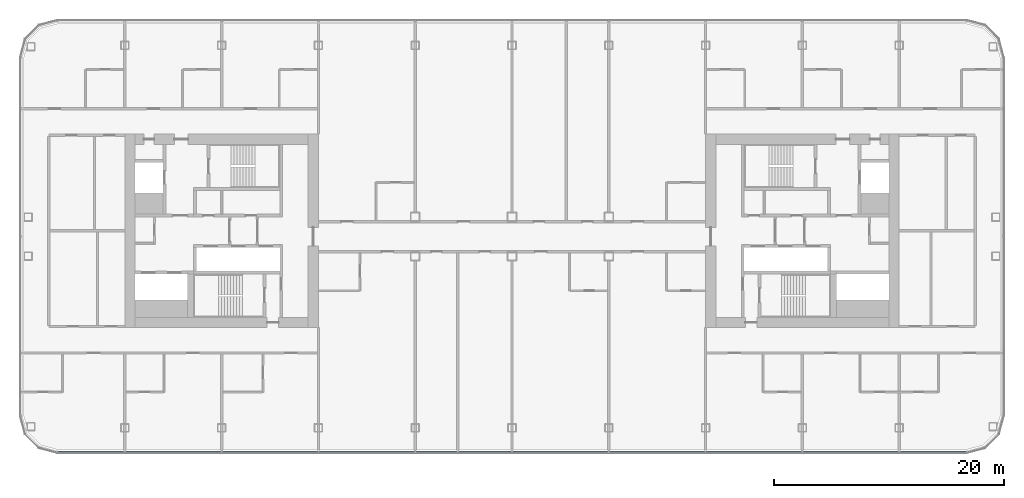
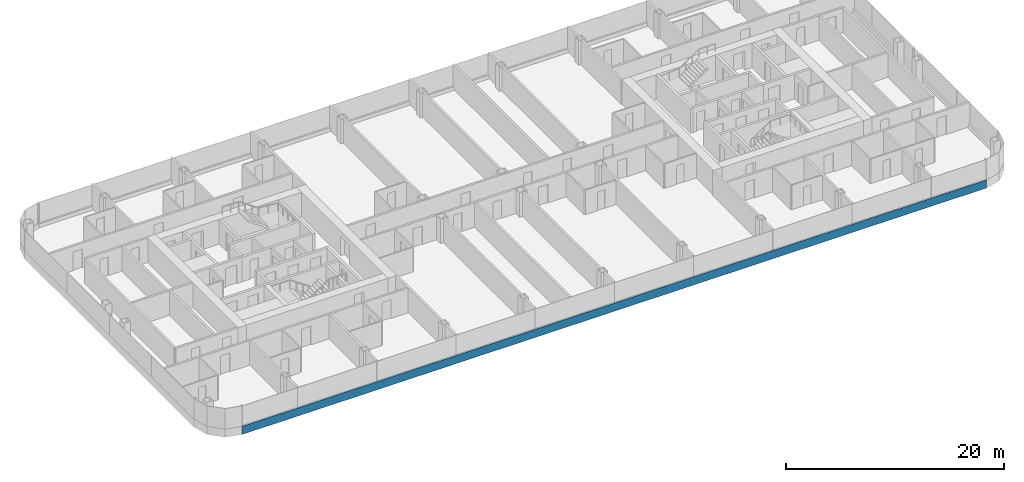
# One storey, part 4 of 25: 1 member, 1 element without a shape of its own.
"""IFC4 building model written with IfcOpenShell, lengths in metres."""

from ifc_helpers import new_model, si_unit, direction, frame, origin, origin_2d, place, context, subcontext, project, spatial, rectangle, extrude, material, layer, layer_set, material_profile, profile_set, type_object, element, aggregate, save


model = new_model("IFC4")

# Units and contexts
model_context = context("Model", 3, precision=1e-05, world=origin(), true_north=direction((0.0, 1.0)))
body_context = subcontext(model_context, "Body", "Model", "MODEL_VIEW")
ifc_project = project(units=[si_unit("LENGTHUNIT", "METRE"), si_unit("AREAUNIT", "SQUARE_METRE"), si_unit("VOLUMEUNIT", "CUBIC_METRE"), si_unit("PLANEANGLEUNIT", "RADIAN"), si_unit("MASSUNIT", "GRAM", prefix="KILO")], contexts=[model_context])

# Site, building, storey
site_placement = place(None, origin())
site = spatial("IfcSite", under=ifc_project, at=site_placement, CompositionType="ELEMENT")
building_placement = place(site_placement, origin())
building = spatial("IfcBuilding", under=site, at=building_placement, Name="Hakoniwa Tower and Hamabe Station Hall", CompositionType="ELEMENT")
storey_placement = place(building_placement, frame((0.0, 0.0, 147.0)))
storey = spatial("IfcBuildingStorey", under=building, at=storey_placement, Name="L41", CompositionType="ELEMENT", Elevation=147.0)

# Curtain wall, member
ifc_material_1 = material(Name="Dark low-e laminated glass", Category="glass")
ifc_layer = layer(ifc_material_1, 0.199951171875)
ifc_layer_set = layer_set([ifc_layer], Name="CW-1 UNITISED GUEST")
curtain_wall_type = type_object("IfcCurtainWallType", Name="CW-1 UNITISED GUEST", PredefinedType="NOTDEFINED", material=ifc_layer_set)
curtain_wall_placement = place(storey_placement, origin())
curtain_wall = element("IfcCurtainWall", 1, at=curtain_wall_placement, inside=storey, type_object=curtain_wall_type, Name="CW-1 curtain wall", PredefinedType="NOTDEFINED")
ifc_material_2 = material(Name="Aluminium 6063-T5 black anodised", Category="aluminium")
ifc_material_profile = material_profile(ifc_material_2, rectangle(XDim=0.199951171875, YDim=0.89990234375, at=origin_2d()), Name="CW SLAB-EDGE BAND 900X200")
ifc_profile_set = profile_set([ifc_material_profile], Name="Aluminium 6063-T5 black anodised")
member_type = type_object("IfcMemberType", Name="CW SLAB-EDGE BAND 900X200", PredefinedType="USERDEFINED", material=ifc_profile_set)
member_placement = place(storey_placement, frame((-39.439453125, -19.199951171875, -0.10009765625), z_axis=(1.0, 0.0, 0.0), x_axis=(0.0, 1.0, 0.0)))
member = element("IfcMember", 2, at=member_placement, type_object=member_type, Name="CW-1 transom", ObjectType="TRANSOM", PredefinedType="USERDEFINED", context=body_context, shape_type="SweptSolid", body=[
    extrude(rectangle(XDim=0.199951171875, YDim=0.89990234375, at=origin_2d()), origin(), (0.0, 0.0, 1.0), 78.87890625),
])
aggregate(curtain_wall, [member])

save(model, "model.ifc")
